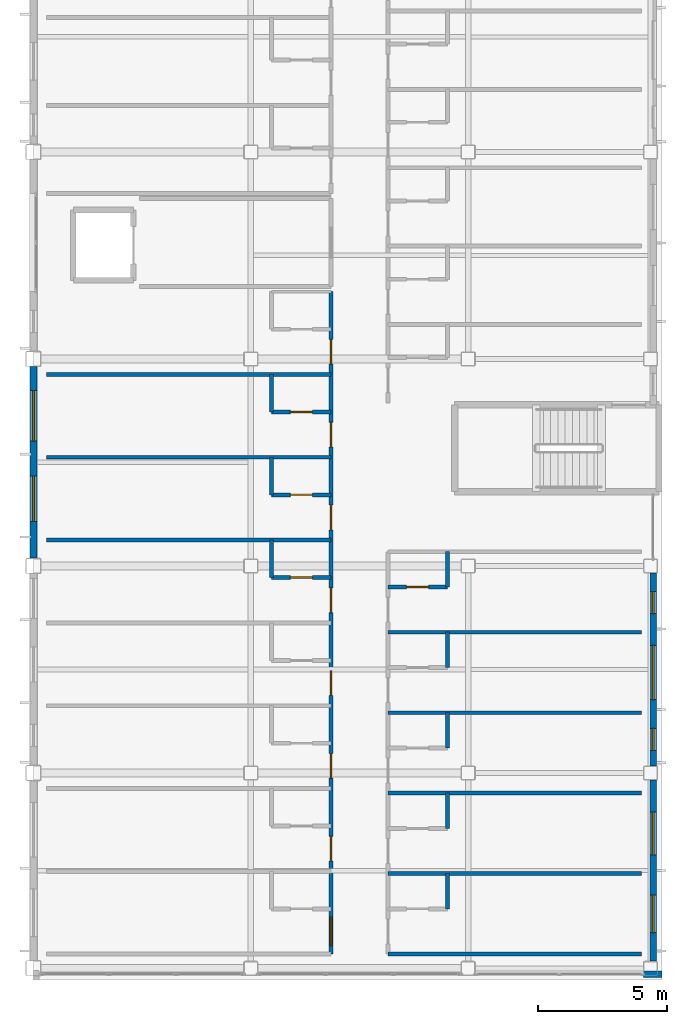
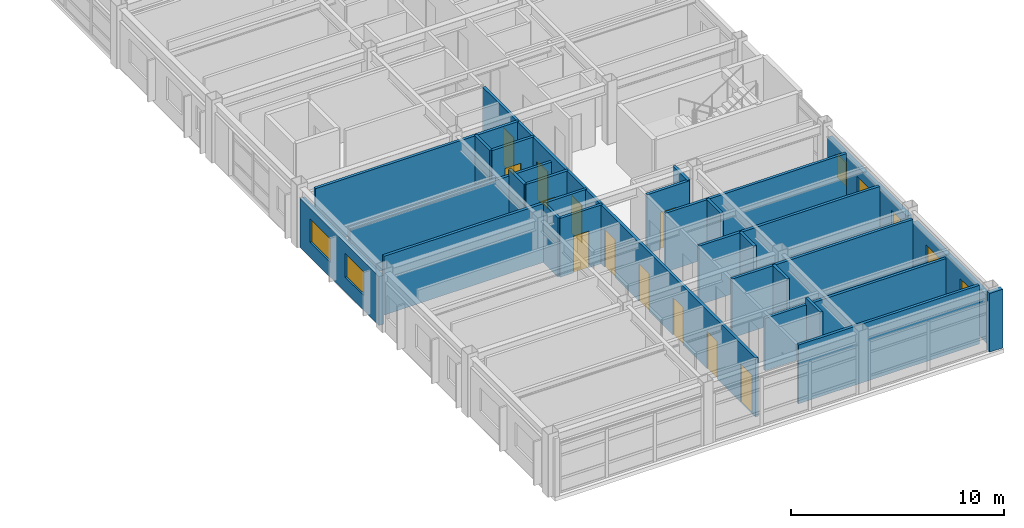
# One storey, part 24 of 38: 25 walls, 12 doors, 7 windows, 19 openings.
"""IFC4 building model written with IfcOpenShell, lengths in metres."""

from ifc_helpers import new_model, si_unit, direction, frame, frame_2d, origin, place, context, subcontext, project, spatial, rectangle, extrude, material, layer, layer_set, type_object, element, fill, save


model = new_model("IFC4")

# Units and contexts
model_context = context("Model", 3, precision=1e-05, world=origin(), true_north=direction((0.0, 1.0)))
body_context = subcontext(model_context, "Body", "Model", "MODEL_VIEW")
ifc_project = project(units=[si_unit("LENGTHUNIT", "METRE"), si_unit("AREAUNIT", "SQUARE_METRE"), si_unit("VOLUMEUNIT", "CUBIC_METRE"), si_unit("PLANEANGLEUNIT", "RADIAN"), si_unit("MASSUNIT", "GRAM", prefix="KILO")], contexts=[model_context])

# Site, building, storey
site_placement = place(None, origin())
site = spatial("IfcSite", under=ifc_project, at=site_placement, CompositionType="ELEMENT")
building_placement = place(site_placement, origin())
building = spatial("IfcBuilding", under=site, at=building_placement, Name="Kazehara Bluff Congress Hotel", CompositionType="ELEMENT")
storey_placement = place(building_placement, frame((0.0, 0.0, 24.60009765625)))
storey = spatial("IfcBuildingStorey", under=building, at=storey_placement, Name="L05", CompositionType="ELEMENT", Elevation=24.60009765625)

# Wall
ifc_material_1 = material(Name="Precast concrete C40/50", Category="concrete")
ifc_layer_1 = layer(ifc_material_1, 0.239990234375)
ifc_layer_set_1 = layer_set([ifc_layer_1], Name="Precast concrete C40/50")
wall_type_1 = type_object("IfcWallType", Name="TP-EW-240", PredefinedType="SOLIDWALL", material=ifc_layer_set_1)
wall_1_placement = place(storey_placement, frame((168.0, 0.219970703125, 0.0), z_axis=(0.0, 0.0, 1.0), x_axis=(-1.0, 0.0, 0.0)))
element("IfcWall", 1, at=wall_1_placement, inside=storey, type_object=wall_type_1, Name="L05 V5 perimeter spandrel pier 732", PredefinedType="SOLIDWALL", context=body_context, shape_type="SweptSolid", body=[
    extrude(rectangle(XDim=0.72509765625, YDim=0.239990234375, at=frame_2d((0.362548828125, 0.0))), origin(), (0.0, 0.0, 1.0), 3.364990234375),
])

# Wall, openings, windows
ifc_material_2 = material(Name="Precast concrete C40/50", Category="concrete")
ifc_layer_2 = layer(ifc_material_2, 0.260009765625)
ifc_layer_set_2 = layer_set([ifc_layer_2], Name="Precast concrete C40/50")
wall_type_2 = type_object("IfcWallType", Name="TP-EW-260", PredefinedType="SOLIDWALL", material=ifc_layer_set_2)
wall_2_placement = place(storey_placement, frame((167.64990234375, 7.72509765625, 0.0), z_axis=(0.0, 0.0, 1.0), x_axis=(0.0, -1.0, 0.0)))
wall_2 = element("IfcWall", 2, at=wall_2_placement, inside=storey, type_object=wall_type_2, Name="L05 hotel facade panel 42", PredefinedType="SOLIDWALL", context=body_context, shape_type="SweptSolid", body=[
    extrude(rectangle(XDim=7.0, YDim=0.260009765625, at=frame_2d((3.5, 0.0))), origin(), (0.0, 0.0, 1.0), 2.7548828125),
])
opening_1_placement = place(wall_2_placement, frame((4.445068359375, 0.0, 0.85009765625)))
opening_1 = element("IfcOpeningElement", 3, at=opening_1_placement, cuts=wall_2, Name="Opening WN-16", PredefinedType="OPENING", context=body_context, shape_type="SweptSolid", body=[
    extrude(rectangle(XDim=1.449951171875, YDim=1.35009765625, at=frame_2d((0.72509765625, 0.675048828125))), frame((0.0, 0.139892578125, 0.0), z_axis=(0.0, -1.0, 0.0), x_axis=(1.0, 0.0, 0.0)), (0.0, 0.0, 1.0), 0.280029296875),
])
opening_2_placement = place(wall_2_placement, frame((1.235107421875, 0.0, 0.85009765625)))
opening_2 = element("IfcOpeningElement", 4, at=opening_2_placement, cuts=wall_2, Name="Opening WN-26", PredefinedType="OPENING", context=body_context, shape_type="SweptSolid", body=[
    extrude(rectangle(XDim=1.64990234375, YDim=1.35009765625, at=frame_2d((0.824951171875, 0.675048828125))), frame((0.0, 0.139892578125, 0.0), z_axis=(0.0, -1.0, 0.0), x_axis=(1.0, 0.0, 0.0)), (0.0, 0.0, 1.0), 0.280029296875),
])
ifc_material_3 = material(Name="Insulated low-E double glazing", Category="glass")
window_type_1 = type_object("IfcWindowType", Name="TP-WN-16", PartitioningType="SINGLE_PANEL", PredefinedType="WINDOW", material=ifc_material_3)
window_1_placement = place(opening_1_placement, origin())
window_1 = element("IfcWindow", 5, at=window_1_placement, inside=storey, type_object=window_type_1, Name="L05 guestroom window WN-16 67", OverallHeight=1.35009765625, OverallWidth=1.449951171875, PartitioningType="SINGLE_PANEL", PredefinedType="WINDOW", context=body_context, shape_type="SweptSolid", body=[
    extrude(rectangle(XDim=1.449951171875, YDim=1.35009765625, at=frame_2d((0.72509765625, 0.675048828125))), frame((0.0, 0.030029296875, 0.0), z_axis=(0.0, -1.0, 0.0), x_axis=(1.0, 0.0, 0.0)), (0.0, 0.0, 1.0), 0.06005859375),
])
fill(opening_1, window_1)
ifc_material_4 = material(Name="Insulated low-E double glazing", Category="glass")
window_type_2 = type_object("IfcWindowType", Name="TP-WN-26", PartitioningType="SINGLE_PANEL", PredefinedType="WINDOW", material=ifc_material_4)
window_2_placement = place(opening_2_placement, origin())
window_2 = element("IfcWindow", 6, at=window_2_placement, inside=storey, type_object=window_type_2, Name="L05 guestroom window WN-26 68", OverallHeight=1.35009765625, OverallWidth=1.64990234375, PartitioningType="SINGLE_PANEL", PredefinedType="WINDOW", context=body_context, shape_type="SweptSolid", body=[
    extrude(rectangle(XDim=1.64990234375, YDim=1.35009765625, at=frame_2d((0.824951171875, 0.675048828125))), frame((0.0, 0.030029296875, 0.0), z_axis=(0.0, -1.0, 0.0), x_axis=(1.0, 0.0, 0.0)), (0.0, 0.0, 1.0), 0.06005859375),
])
fill(opening_2, window_2)

wall_3_placement = place(storey_placement, frame((167.64990234375, 15.72509765625, 0.0), z_axis=(0.0, 0.0, 1.0), x_axis=(0.0, -1.0, 0.0)))
wall_3 = element("IfcWall", 7, at=wall_3_placement, inside=storey, type_object=wall_type_2, Name="L05 hotel facade panel 43", PredefinedType="SOLIDWALL", context=body_context, shape_type="SweptSolid", body=[
    extrude(rectangle(XDim=7.4501953125, YDim=0.260009765625, at=frame_2d((3.72509765625, 0.0))), origin(), (0.0, 0.0, 1.0), 2.7548828125),
])
opening_3_placement = place(wall_3_placement, frame((6.0, 0.0, 0.85009765625)))
opening_3 = element("IfcOpeningElement", 8, at=opening_3_placement, cuts=wall_3, Name="Opening WN-55", PredefinedType="OPENING", context=body_context, shape_type="SweptSolid", body=[
    extrude(rectangle(XDim=0.85009765625, YDim=1.35009765625, at=frame_2d((0.425048828125, 0.675048828125))), frame((0.0, 0.139892578125, 0.0), z_axis=(0.0, -1.0, 0.0), x_axis=(1.0, 0.0, 0.0)), (0.0, 0.0, 1.0), 0.280029296875),
])
opening_4_placement = place(wall_3_placement, frame((2.7900390625, 0.0, 0.85009765625)))
opening_4 = element("IfcOpeningElement", 9, at=opening_4_placement, cuts=wall_3, Name="Opening WN-46", PredefinedType="OPENING", context=body_context, shape_type="SweptSolid", body=[
    extrude(rectangle(XDim=2.10009765625, YDim=1.35009765625, at=frame_2d((1.050048828125, 0.675048828125))), frame((0.0, 0.139892578125, 0.0), z_axis=(0.0, -1.0, 0.0), x_axis=(1.0, 0.0, 0.0)), (0.0, 0.0, 1.0), 0.280029296875),
])
opening_5_placement = place(wall_3_placement, frame((0.719970703125, 0.0, 0.85009765625)))
opening_5 = element("IfcOpeningElement", 10, at=opening_5_placement, cuts=wall_3, Name="Opening WN-55", PredefinedType="OPENING", context=body_context, shape_type="SweptSolid", body=[
    extrude(rectangle(XDim=0.85009765625, YDim=1.35009765625, at=frame_2d((0.425048828125, 0.675048828125))), frame((0.0, 0.139892578125, 0.0), z_axis=(0.0, -1.0, 0.0), x_axis=(1.0, 0.0, 0.0)), (0.0, 0.0, 1.0), 0.280029296875),
])
ifc_material_5 = material(Name="Insulated low-E double glazing", Category="glass")
window_type_3 = type_object("IfcWindowType", Name="TP-WN-46", PartitioningType="DOUBLE_PANEL_VERTICAL", PredefinedType="WINDOW", material=ifc_material_5)
window_3_placement = place(opening_4_placement, origin())
window_3 = element("IfcWindow", 11, at=window_3_placement, inside=storey, type_object=window_type_3, Name="L05 guestroom window WN-46 70", OverallHeight=1.35009765625, OverallWidth=2.10009765625, PartitioningType="SINGLE_PANEL", PredefinedType="WINDOW", context=body_context, shape_type="SweptSolid", body=[
    extrude(rectangle(XDim=2.10009765625, YDim=1.35009765625, at=frame_2d((1.050048828125, 0.675048828125))), frame((0.0, 0.030029296875, 0.0), z_axis=(0.0, -1.0, 0.0), x_axis=(1.0, 0.0, 0.0)), (0.0, 0.0, 1.0), 0.06005859375),
])
fill(opening_4, window_3)
ifc_material_6 = material(Name="Insulated low-E double glazing", Category="glass")
window_type_4 = type_object("IfcWindowType", Name="TP-WN-55", PartitioningType="SINGLE_PANEL", PredefinedType="WINDOW", material=ifc_material_6)
window_4_placement = place(opening_3_placement, origin())
window_4 = element("IfcWindow", 12, at=window_4_placement, inside=storey, type_object=window_type_4, Name="L05 guestroom window WN-55 69", OverallHeight=1.35009765625, OverallWidth=0.85009765625, PartitioningType="SINGLE_PANEL", PredefinedType="WINDOW", context=body_context, shape_type="SweptSolid", body=[
    extrude(rectangle(XDim=0.85009765625, YDim=1.35009765625, at=frame_2d((0.425048828125, 0.675048828125))), frame((0.0, 0.030029296875, 0.0), z_axis=(0.0, -1.0, 0.0), x_axis=(1.0, 0.0, 0.0)), (0.0, 0.0, 1.0), 0.06005859375),
])
fill(opening_3, window_4)
window_5_placement = place(opening_5_placement, origin())
window_5 = element("IfcWindow", 13, at=window_5_placement, inside=storey, type_object=window_type_4, Name="L05 guestroom window WN-55 71", OverallHeight=1.35009765625, OverallWidth=0.85009765625, PartitioningType="SINGLE_PANEL", PredefinedType="WINDOW", context=body_context, shape_type="SweptSolid", body=[
    extrude(rectangle(XDim=0.85009765625, YDim=1.35009765625, at=frame_2d((0.425048828125, 0.675048828125))), frame((0.0, 0.030029296875, 0.0), z_axis=(0.0, -1.0, 0.0), x_axis=(1.0, 0.0, 0.0)), (0.0, 0.0, 1.0), 0.06005859375),
])
fill(opening_5, window_5)

wall_4_placement = place(storey_placement, frame((143.699951171875, 16.300048828125, 0.0), z_axis=(0.0, 0.0, 1.0), x_axis=(0.0, 1.0, 0.0)))
wall_4 = element("IfcWall", 14, at=wall_4_placement, inside=storey, type_object=wall_type_2, Name="L05 hotel facade panel 56", PredefinedType="SOLIDWALL", context=body_context, shape_type="SweptSolid", body=[
    extrude(rectangle(XDim=7.39990234375, YDim=0.260009765625, at=frame_2d((3.699951171875, 0.0))), origin(), (0.0, 0.0, 1.0), 2.804931640625),
])
opening_6_placement = place(wall_4_placement, frame((1.425048828125, 0.0, 0.85009765625)))
opening_6 = element("IfcOpeningElement", 15, at=opening_6_placement, cuts=wall_4, Name="Opening WN-31", PredefinedType="OPENING", context=body_context, shape_type="SweptSolid", body=[
    extrude(rectangle(XDim=1.75, YDim=1.35009765625, at=frame_2d((0.875, 0.675048828125))), frame((0.0, 0.139892578125, 0.0), z_axis=(0.0, -1.0, 0.0), x_axis=(1.0, 0.0, 0.0)), (0.0, 0.0, 1.0), 0.280029296875),
])
opening_7_placement = place(wall_4_placement, frame((4.52490234375, 0.0, 0.85009765625)))
opening_7 = element("IfcOpeningElement", 16, at=opening_7_placement, cuts=wall_4, Name="Opening WN-41", PredefinedType="OPENING", context=body_context, shape_type="SweptSolid", body=[
    extrude(rectangle(XDim=1.949951171875, YDim=1.35009765625, at=frame_2d((0.97509765625, 0.675048828125))), frame((0.0, 0.139892578125, 0.0), z_axis=(0.0, -1.0, 0.0), x_axis=(1.0, 0.0, 0.0)), (0.0, 0.0, 1.0), 0.280029296875),
])
ifc_material_7 = material(Name="Insulated low-E double glazing", Category="glass")
window_type_5 = type_object("IfcWindowType", Name="TP-WN-31", PartitioningType="SINGLE_PANEL", PredefinedType="WINDOW", material=ifc_material_7)
window_6_placement = place(opening_6_placement, origin())
window_6 = element("IfcWindow", 17, at=window_6_placement, inside=storey, type_object=window_type_5, Name="L05 guestroom window WN-31 99", OverallHeight=1.35009765625, OverallWidth=1.75, PartitioningType="SINGLE_PANEL", PredefinedType="WINDOW", context=body_context, shape_type="SweptSolid", body=[
    extrude(rectangle(XDim=1.75, YDim=1.35009765625, at=frame_2d((0.875, 0.675048828125))), frame((0.0, 0.030029296875, 0.0), z_axis=(0.0, -1.0, 0.0), x_axis=(1.0, 0.0, 0.0)), (0.0, 0.0, 1.0), 0.06005859375),
])
fill(opening_6, window_6)
ifc_material_8 = material(Name="Insulated low-E double glazing", Category="glass")
window_type_6 = type_object("IfcWindowType", Name="TP-WN-41", PartitioningType="DOUBLE_PANEL_VERTICAL", PredefinedType="WINDOW", material=ifc_material_8)
window_7_placement = place(opening_7_placement, origin())
window_7 = element("IfcWindow", 18, at=window_7_placement, inside=storey, type_object=window_type_6, Name="L05 guestroom window WN-41 100", OverallHeight=1.35009765625, OverallWidth=1.949951171875, PartitioningType="SINGLE_PANEL", PredefinedType="WINDOW", context=body_context, shape_type="SweptSolid", body=[
    extrude(rectangle(XDim=1.949951171875, YDim=1.35009765625, at=frame_2d((0.97509765625, 0.675048828125))), frame((0.0, 0.030029296875, 0.0), z_axis=(0.0, -1.0, 0.0), x_axis=(1.0, 0.0, 0.0)), (0.0, 0.0, 1.0), 0.06005859375),
])
fill(opening_7, window_7)

# Walls
ifc_material_9 = material(Name="Fire-rated gypsum board stud partition")
ifc_layer_3 = layer(ifc_material_9, 0.14990234375)
ifc_layer_set_3 = layer_set([ifc_layer_3], Name="Fire-rated gypsum board stud partition")
wall_type_3 = type_object("IfcWallType", Name="TP-PT-150", PredefinedType="PARTITIONING", material=ifc_layer_set_3)
wall_5_placement = place(storey_placement, frame((157.39990234375, 1.0, 0.0), z_axis=(0.0, 0.0, 1.0), x_axis=(1.0, 0.0, 0.0)))
element("IfcWall", 19, at=wall_5_placement, inside=storey, type_object=wall_type_3, Name="L05 partition PT-150 506", PredefinedType="PARTITIONING", context=body_context, shape_type="SweptSolid", body=[
    extrude(rectangle(XDim=9.800048828125, YDim=0.14990234375, at=frame_2d((4.89990234375, 0.0))), origin(), (0.0, 0.0, 1.0), 3.364990234375),
])
wall_6_placement = place(storey_placement, frame((157.39990234375, 4.110107421875, 0.0), z_axis=(0.0, 0.0, 1.0), x_axis=(1.0, 0.0, 0.0)))
element("IfcWall", 20, at=wall_6_placement, inside=storey, type_object=wall_type_3, Name="L05 partition PT-150 509", PredefinedType="PARTITIONING", context=body_context, shape_type="SweptSolid", body=[
    extrude(rectangle(XDim=9.800048828125, YDim=0.14990234375, at=frame_2d((4.89990234375, 0.0))), origin(), (0.0, 0.0, 1.0), 3.0048828125),
])
for number, where, z_axis, x_axis, name in (
    (21, (157.39990234375, 7.219970703125, 0.0), (0.0, 0.0, 1.0), (1.0, 0.0, 0.0), "L05 partition PT-150 513"),
    (22, (157.39990234375, 10.330078125, 0.0), (0.0, 0.0, 1.0), (1.0, 0.0, 0.0), "L05 partition PT-150 517"),
    (23, (157.39990234375, 13.43994140625, 0.0), (0.0, 0.0, 1.0), (1.0, 0.0, 0.0), "L05 partition PT-150 521"),
):
    element("IfcWall", number, at=place(storey_placement, frame(where, z_axis=z_axis, x_axis=x_axis)), inside=storey, type_object=wall_type_3, Name=name, PredefinedType="PARTITIONING", context=body_context, shape_type="SweptSolid", body=[
        extrude(rectangle(XDim=9.800048828125, YDim=0.14990234375, at=frame_2d((4.89990234375, 0.0))), origin(), (0.0, 0.0, 1.0), 3.364990234375),
    ])

# Wall, opening, door
wall_7_placement = place(storey_placement, frame((157.39990234375, 15.18994140625, 0.0), z_axis=(0.0, 0.0, 1.0), x_axis=(1.0, 0.0, 0.0)))
wall_7 = element("IfcWall", 24, at=wall_7_placement, inside=storey, type_object=wall_type_3, Name="L05 partition PT-150 523", PredefinedType="PARTITIONING", context=body_context, shape_type="SweptSolid", body=[
    extrude(rectangle(XDim=2.300048828125, YDim=0.14990234375, at=frame_2d((1.14990234375, 0.0))), origin(), (0.0, 0.0, 1.0), 3.364990234375),
])
opening_8_placement = place(wall_7_placement, frame((0.72509765625, 0.0, 0.0)))
opening_8 = element("IfcOpeningElement", 25, at=opening_8_placement, cuts=wall_7, Name="Opening BD-01", PredefinedType="OPENING", context=body_context, shape_type="SweptSolid", body=[
    extrude(rectangle(XDim=0.85009765625, YDim=2.10009765625, at=frame_2d((0.425048828125, 1.050048828125))), frame((0.0, 0.0849609375, 0.0), z_axis=(0.0, -1.0, 0.0), x_axis=(1.0, 0.0, 0.0)), (0.0, 0.0, 1.0), 0.169921875),
])
ifc_material_10 = material(Name="Architectural oak veneer leaf")
door_type_1 = type_object("IfcDoorType", Name="TP-BD-01", OperationType="NOTDEFINED", PredefinedType="DOOR", material=ifc_material_10)
door_1_placement = place(opening_8_placement, origin())
door_1 = element("IfcDoor", 26, at=door_1_placement, inside=storey, type_object=door_type_1, Name="L05 En-suite Bathroom 96 door", OperationType="SINGLE_SWING_RIGHT", OverallHeight=2.10009765625, OverallWidth=0.85009765625, PredefinedType="DOOR", context=body_context, shape_type="SweptSolid", body=[
    extrude(rectangle(XDim=0.85009765625, YDim=2.10009765625, at=frame_2d((0.425048828125, 1.050048828125))), frame((0.0, 0.02490234375, 0.0), z_axis=(0.0, -1.0, 0.0), x_axis=(1.0, 0.0, 0.0)), (0.0, 0.0, 1.0), 0.050048828125),
])
fill(opening_8, door_1)

wall_8_placement = place(storey_placement, frame((152.89990234375, 15.550048828125, 0.0), z_axis=(0.0, 0.0, 1.0), x_axis=(1.0, 0.0, 0.0)))
wall_8 = element("IfcWall", 27, at=wall_8_placement, inside=storey, type_object=wall_type_3, Name="L05 partition PT-150 524", PredefinedType="PARTITIONING", context=body_context, shape_type="SweptSolid", body=[
    extrude(rectangle(XDim=2.300048828125, YDim=0.14990234375, at=frame_2d((1.14990234375, 0.0))), origin(), (0.0, 0.0, 1.0), 3.364990234375),
])
opening_9_placement = place(wall_8_placement, frame((0.72509765625, 0.0, 0.0)))
opening_9 = element("IfcOpeningElement", 28, at=opening_9_placement, cuts=wall_8, Name="Opening BD-01", PredefinedType="OPENING", context=body_context, shape_type="SweptSolid", body=[
    extrude(rectangle(XDim=0.85009765625, YDim=2.10009765625, at=frame_2d((0.425048828125, 1.050048828125))), frame((0.0, 0.0849609375, 0.0), z_axis=(0.0, -1.0, 0.0), x_axis=(1.0, 0.0, 0.0)), (0.0, 0.0, 1.0), 0.169921875),
])
door_2_placement = place(opening_9_placement, origin())
door_2 = element("IfcDoor", 29, at=door_2_placement, inside=storey, type_object=door_type_1, Name="L05 En-suite Bathroom 71 door", OperationType="SINGLE_SWING_RIGHT", OverallHeight=2.10009765625, OverallWidth=0.85009765625, PredefinedType="DOOR", context=body_context, shape_type="SweptSolid", body=[
    extrude(rectangle(XDim=0.85009765625, YDim=2.10009765625, at=frame_2d((0.425048828125, 1.050048828125))), frame((0.0, 0.02490234375, 0.0), z_axis=(0.0, -1.0, 0.0), x_axis=(1.0, 0.0, 0.0)), (0.0, 0.0, 1.0), 0.050048828125),
])
fill(opening_9, door_2)

# Wall
wall_9_placement = place(storey_placement, frame((144.199951171875, 17.0, 0.0), z_axis=(0.0, 0.0, 1.0), x_axis=(1.0, 0.0, 0.0)))
element("IfcWall", 30, at=wall_9_placement, inside=storey, type_object=wall_type_3, Name="L05 partition PT-150 526", PredefinedType="PARTITIONING", context=body_context, shape_type="SweptSolid", body=[
    extrude(rectangle(XDim=11.0, YDim=0.14990234375, at=frame_2d((5.5, 0.0))), origin(), (0.0, 0.0, 1.0), 3.364990234375),
])

# Wall, opening, door
wall_10_placement = place(storey_placement, frame((152.89990234375, 18.75, 0.0), z_axis=(0.0, 0.0, 1.0), x_axis=(1.0, 0.0, 0.0)))
wall_10 = element("IfcWall", 31, at=wall_10_placement, inside=storey, type_object=wall_type_3, Name="L05 partition PT-150 527", PredefinedType="PARTITIONING", context=body_context, shape_type="SweptSolid", body=[
    extrude(rectangle(XDim=2.300048828125, YDim=0.14990234375, at=frame_2d((1.14990234375, 0.0))), origin(), (0.0, 0.0, 1.0), 3.364990234375),
])
opening_10_placement = place(wall_10_placement, frame((0.72509765625, 0.0, 0.0)))
opening_10 = element("IfcOpeningElement", 32, at=opening_10_placement, cuts=wall_10, Name="Opening BD-01", PredefinedType="OPENING", context=body_context, shape_type="SweptSolid", body=[
    extrude(rectangle(XDim=0.85009765625, YDim=2.10009765625, at=frame_2d((0.425048828125, 1.050048828125))), frame((0.0, 0.0849609375, 0.0), z_axis=(0.0, -1.0, 0.0), x_axis=(1.0, 0.0, 0.0)), (0.0, 0.0, 1.0), 0.169921875),
])
door_3_placement = place(opening_10_placement, origin())
door_3 = element("IfcDoor", 33, at=door_3_placement, inside=storey, type_object=door_type_1, Name="L05 En-suite Bathroom 72 door", OperationType="SINGLE_SWING_RIGHT", OverallHeight=2.10009765625, OverallWidth=0.85009765625, PredefinedType="DOOR", context=body_context, shape_type="SweptSolid", body=[
    extrude(rectangle(XDim=0.85009765625, YDim=2.10009765625, at=frame_2d((0.425048828125, 1.050048828125))), frame((0.0, 0.02490234375, 0.0), z_axis=(0.0, -1.0, 0.0), x_axis=(1.0, 0.0, 0.0)), (0.0, 0.0, 1.0), 0.050048828125),
])
fill(opening_10, door_3)

# Wall
wall_11_placement = place(storey_placement, frame((144.199951171875, 20.199951171875, 0.0), z_axis=(0.0, 0.0, 1.0), x_axis=(1.0, 0.0, 0.0)))
element("IfcWall", 34, at=wall_11_placement, inside=storey, type_object=wall_type_3, Name="L05 partition PT-150 528", PredefinedType="PARTITIONING", context=body_context, shape_type="SweptSolid", body=[
    extrude(rectangle(XDim=11.0, YDim=0.14990234375, at=frame_2d((5.5, 0.0))), origin(), (0.0, 0.0, 1.0), 3.0048828125),
])

# Wall, opening, door
wall_12_placement = place(storey_placement, frame((152.89990234375, 21.949951171875, 0.0), z_axis=(0.0, 0.0, 1.0), x_axis=(1.0, 0.0, 0.0)))
wall_12 = element("IfcWall", 35, at=wall_12_placement, inside=storey, type_object=wall_type_3, Name="L05 partition PT-150 529", PredefinedType="PARTITIONING", context=body_context, shape_type="SweptSolid", body=[
    extrude(rectangle(XDim=2.300048828125, YDim=0.14990234375, at=frame_2d((1.14990234375, 0.0))), origin(), (0.0, 0.0, 1.0), 3.364990234375),
])
opening_11_placement = place(wall_12_placement, frame((0.72509765625, 0.0, 0.0)))
opening_11 = element("IfcOpeningElement", 36, at=opening_11_placement, cuts=wall_12, Name="Opening BD-01", PredefinedType="OPENING", context=body_context, shape_type="SweptSolid", body=[
    extrude(rectangle(XDim=0.85009765625, YDim=2.10009765625, at=frame_2d((0.425048828125, 1.050048828125))), frame((0.0, 0.0849609375, 0.0), z_axis=(0.0, -1.0, 0.0), x_axis=(1.0, 0.0, 0.0)), (0.0, 0.0, 1.0), 0.169921875),
])
door_4_placement = place(opening_11_placement, origin())
door_4 = element("IfcDoor", 37, at=door_4_placement, inside=storey, type_object=door_type_1, Name="L05 En-suite Bathroom 73 door", OperationType="SINGLE_SWING_RIGHT", OverallHeight=2.10009765625, OverallWidth=0.85009765625, PredefinedType="DOOR", context=body_context, shape_type="SweptSolid", body=[
    extrude(rectangle(XDim=0.85009765625, YDim=2.10009765625, at=frame_2d((0.425048828125, 1.050048828125))), frame((0.0, 0.02490234375, 0.0), z_axis=(0.0, -1.0, 0.0), x_axis=(1.0, 0.0, 0.0)), (0.0, 0.0, 1.0), 0.050048828125),
])
fill(opening_11, door_4)

# Walls
wall_13_placement = place(storey_placement, frame((144.199951171875, 23.39990234375, 0.0), z_axis=(0.0, 0.0, 1.0), x_axis=(1.0, 0.0, 0.0)))
element("IfcWall", 38, at=wall_13_placement, inside=storey, type_object=wall_type_3, Name="L05 partition PT-150 530", PredefinedType="PARTITIONING", context=body_context, shape_type="SweptSolid", body=[
    extrude(rectangle(XDim=11.0, YDim=0.14990234375, at=frame_2d((5.5, 0.0))), origin(), (0.0, 0.0, 1.0), 3.364990234375),
])
for number, where, z_axis, x_axis, name in (
    (39, (152.89990234375, 15.550048828125, 0.0), (0.0, 0.0, 1.0), (0.0, 1.0, 0.0), "L05 partition PT-150 629"),
    (40, (152.89990234375, 18.75, 0.0), (0.0, 0.0, 1.0), (0.0, 1.0, 0.0), "L05 partition PT-150 630"),
    (41, (152.89990234375, 21.949951171875, 0.0), (0.0, 0.0, 1.0), (0.0, 1.0, 0.0), "L05 partition PT-150 631"),
):
    element("IfcWall", number, at=place(storey_placement, frame(where, z_axis=z_axis, x_axis=x_axis)), inside=storey, type_object=wall_type_3, Name=name, PredefinedType="PARTITIONING", context=body_context, shape_type="SweptSolid", body=[
        extrude(rectangle(XDim=1.449951171875, YDim=0.14990234375, at=frame_2d((0.72509765625, 0.0))), origin(), (0.0, 0.0, 1.0), 3.364990234375),
    ])

# Wall, openings, doors
wall_14_placement = place(storey_placement, frame((155.199951171875, 1.0, 0.0), z_axis=(0.0, 0.0, 1.0), x_axis=(0.0, 1.0, 0.0)))
wall_14 = element("IfcWall", 42, at=wall_14_placement, inside=storey, type_object=wall_type_3, Name="L05 partition PT-150 650", PredefinedType="PARTITIONING", context=body_context, shape_type="SweptSolid", body=[
    extrude(rectangle(XDim=25.60009765625, YDim=0.14990234375, at=frame_2d((12.800048828125, 0.0))), origin(), (0.0, 0.0, 1.0), 3.364990234375),
])
opening_12_placement = place(wall_14_placement, frame((0.324951171875, 0.0, 0.0)))
opening_12 = element("IfcOpeningElement", 43, at=opening_12_placement, cuts=wall_14, Name="Opening GD-02", PredefinedType="OPENING", context=body_context, shape_type="SweptSolid", body=[
    extrude(rectangle(XDim=1.10009765625, YDim=2.199951171875, at=frame_2d((0.550048828125, 1.10009765625))), frame((0.0, 0.0849609375, 0.0), z_axis=(0.0, -1.0, 0.0), x_axis=(1.0, 0.0, 0.0)), (0.0, 0.0, 1.0), 0.169921875),
])
opening_13_placement = place(wall_14_placement, frame((3.60009765625, 0.0, 0.0)))
opening_13 = element("IfcOpeningElement", 44, at=opening_13_placement, cuts=wall_14, Name="Opening GD-01", PredefinedType="OPENING", context=body_context, shape_type="SweptSolid", body=[
    extrude(rectangle(XDim=0.949951171875, YDim=2.14990234375, at=frame_2d((0.47509765625, 1.074951171875))), frame((0.0, 0.0849609375, 0.0), z_axis=(0.0, -1.0, 0.0), x_axis=(1.0, 0.0, 0.0)), (0.0, 0.0, 1.0), 0.169921875),
])
opening_14_placement = place(wall_14_placement, frame((6.800048828125, 0.0, 0.0)))
opening_14 = element("IfcOpeningElement", 45, at=opening_14_placement, cuts=wall_14, Name="Opening GD-01", PredefinedType="OPENING", context=body_context, shape_type="SweptSolid", body=[
    extrude(rectangle(XDim=0.949951171875, YDim=2.14990234375, at=frame_2d((0.47509765625, 1.074951171875))), frame((0.0, 0.0849609375, 0.0), z_axis=(0.0, -1.0, 0.0), x_axis=(1.0, 0.0, 0.0)), (0.0, 0.0, 1.0), 0.169921875),
])
opening_15_placement = place(wall_14_placement, frame((10.0, 0.0, 0.0)))
opening_15 = element("IfcOpeningElement", 46, at=opening_15_placement, cuts=wall_14, Name="Opening GD-01", PredefinedType="OPENING", context=body_context, shape_type="SweptSolid", body=[
    extrude(rectangle(XDim=0.949951171875, YDim=2.14990234375, at=frame_2d((0.47509765625, 1.074951171875))), frame((0.0, 0.0849609375, 0.0), z_axis=(0.0, -1.0, 0.0), x_axis=(1.0, 0.0, 0.0)), (0.0, 0.0, 1.0), 0.169921875),
])
opening_16_placement = place(wall_14_placement, frame((13.199951171875, 0.0, 0.0)))
opening_16 = element("IfcOpeningElement", 47, at=opening_16_placement, cuts=wall_14, Name="Opening GD-01", PredefinedType="OPENING", context=body_context, shape_type="SweptSolid", body=[
    extrude(rectangle(XDim=0.949951171875, YDim=2.14990234375, at=frame_2d((0.47509765625, 1.074951171875))), frame((0.0, 0.0849609375, 0.0), z_axis=(0.0, -1.0, 0.0), x_axis=(1.0, 0.0, 0.0)), (0.0, 0.0, 1.0), 0.169921875),
])
opening_17_placement = place(wall_14_placement, frame((16.39990234375, 0.0, 0.0)))
opening_17 = element("IfcOpeningElement", 48, at=opening_17_placement, cuts=wall_14, Name="Opening GD-01", PredefinedType="OPENING", context=body_context, shape_type="SweptSolid", body=[
    extrude(rectangle(XDim=0.949951171875, YDim=2.14990234375, at=frame_2d((0.47509765625, 1.074951171875))), frame((0.0, 0.0849609375, 0.0), z_axis=(0.0, -1.0, 0.0), x_axis=(1.0, 0.0, 0.0)), (0.0, 0.0, 1.0), 0.169921875),
])
opening_18_placement = place(wall_14_placement, frame((19.60009765625, 0.0, 0.0)))
opening_18 = element("IfcOpeningElement", 49, at=opening_18_placement, cuts=wall_14, Name="Opening GD-01", PredefinedType="OPENING", context=body_context, shape_type="SweptSolid", body=[
    extrude(rectangle(XDim=0.949951171875, YDim=2.14990234375, at=frame_2d((0.47509765625, 1.074951171875))), frame((0.0, 0.0849609375, 0.0), z_axis=(0.0, -1.0, 0.0), x_axis=(1.0, 0.0, 0.0)), (0.0, 0.0, 1.0), 0.169921875),
])
opening_19_placement = place(wall_14_placement, frame((22.800048828125, 0.0, 0.0)))
opening_19 = element("IfcOpeningElement", 50, at=opening_19_placement, cuts=wall_14, Name="Opening GD-01", PredefinedType="OPENING", context=body_context, shape_type="SweptSolid", body=[
    extrude(rectangle(XDim=0.949951171875, YDim=2.14990234375, at=frame_2d((0.47509765625, 1.074951171875))), frame((0.0, 0.0849609375, 0.0), z_axis=(0.0, -1.0, 0.0), x_axis=(1.0, 0.0, 0.0)), (0.0, 0.0, 1.0), 0.169921875),
])
ifc_material_11 = material(Name="Architectural oak veneer leaf")
door_type_2 = type_object("IfcDoorType", Name="TP-GD-01", OperationType="NOTDEFINED", PredefinedType="DOOR", material=ifc_material_11)
door_5_placement = place(opening_13_placement, origin())
door_5 = element("IfcDoor", 51, at=door_5_placement, inside=storey, type_object=door_type_2, Name="L05 Deluxe Twin Guest Room 68 door", OperationType="SINGLE_SWING_LEFT", OverallHeight=2.14990234375, OverallWidth=0.949951171875, PredefinedType="DOOR", context=body_context, shape_type="SweptSolid", body=[
    extrude(rectangle(XDim=0.949951171875, YDim=2.14990234375, at=frame_2d((0.47509765625, 1.074951171875))), frame((0.0, 0.02490234375, 0.0), z_axis=(0.0, -1.0, 0.0), x_axis=(1.0, 0.0, 0.0)), (0.0, 0.0, 1.0), 0.050048828125),
])
fill(opening_13, door_5)
door_6_placement = place(opening_14_placement, origin())
door_6 = element("IfcDoor", 52, at=door_6_placement, inside=storey, type_object=door_type_2, Name="L05 Standard King Guest Room 69 door", OperationType="SINGLE_SWING_LEFT", OverallHeight=2.14990234375, OverallWidth=0.949951171875, PredefinedType="DOOR", context=body_context, shape_type="SweptSolid", body=[
    extrude(rectangle(XDim=0.949951171875, YDim=2.14990234375, at=frame_2d((0.47509765625, 1.074951171875))), frame((0.0, 0.02490234375, 0.0), z_axis=(0.0, -1.0, 0.0), x_axis=(1.0, 0.0, 0.0)), (0.0, 0.0, 1.0), 0.050048828125),
])
fill(opening_14, door_6)
door_7_placement = place(opening_15_placement, origin())
door_7 = element("IfcDoor", 53, at=door_7_placement, inside=storey, type_object=door_type_2, Name="L05 Deluxe Twin Guest Room 70 door", OperationType="SINGLE_SWING_LEFT", OverallHeight=2.14990234375, OverallWidth=0.949951171875, PredefinedType="DOOR", context=body_context, shape_type="SweptSolid", body=[
    extrude(rectangle(XDim=0.949951171875, YDim=2.14990234375, at=frame_2d((0.47509765625, 1.074951171875))), frame((0.0, 0.02490234375, 0.0), z_axis=(0.0, -1.0, 0.0), x_axis=(1.0, 0.0, 0.0)), (0.0, 0.0, 1.0), 0.050048828125),
])
fill(opening_15, door_7)
door_8_placement = place(opening_16_placement, origin())
door_8 = element("IfcDoor", 54, at=door_8_placement, inside=storey, type_object=door_type_2, Name="L05 Standard King Guest Room 71 door", OperationType="SINGLE_SWING_LEFT", OverallHeight=2.14990234375, OverallWidth=0.949951171875, PredefinedType="DOOR", context=body_context, shape_type="SweptSolid", body=[
    extrude(rectangle(XDim=0.949951171875, YDim=2.14990234375, at=frame_2d((0.47509765625, 1.074951171875))), frame((0.0, 0.02490234375, 0.0), z_axis=(0.0, -1.0, 0.0), x_axis=(1.0, 0.0, 0.0)), (0.0, 0.0, 1.0), 0.050048828125),
])
fill(opening_16, door_8)
door_9_placement = place(opening_17_placement, origin())
door_9 = element("IfcDoor", 55, at=door_9_placement, inside=storey, type_object=door_type_2, Name="L05 Deluxe Twin Guest Room 72 door", OperationType="SINGLE_SWING_LEFT", OverallHeight=2.14990234375, OverallWidth=0.949951171875, PredefinedType="DOOR", context=body_context, shape_type="SweptSolid", body=[
    extrude(rectangle(XDim=0.949951171875, YDim=2.14990234375, at=frame_2d((0.47509765625, 1.074951171875))), frame((0.0, 0.02490234375, 0.0), z_axis=(0.0, -1.0, 0.0), x_axis=(1.0, 0.0, 0.0)), (0.0, 0.0, 1.0), 0.050048828125),
])
fill(opening_17, door_9)
door_10_placement = place(opening_18_placement, origin())
door_10 = element("IfcDoor", 56, at=door_10_placement, inside=storey, type_object=door_type_2, Name="L05 Standard King Guest Room 73 door", OperationType="SINGLE_SWING_LEFT", OverallHeight=2.14990234375, OverallWidth=0.949951171875, PredefinedType="DOOR", context=body_context, shape_type="SweptSolid", body=[
    extrude(rectangle(XDim=0.949951171875, YDim=2.14990234375, at=frame_2d((0.47509765625, 1.074951171875))), frame((0.0, 0.02490234375, 0.0), z_axis=(0.0, -1.0, 0.0), x_axis=(1.0, 0.0, 0.0)), (0.0, 0.0, 1.0), 0.050048828125),
])
fill(opening_18, door_10)
door_11_placement = place(opening_19_placement, origin())
door_11 = element("IfcDoor", 57, at=door_11_placement, inside=storey, type_object=door_type_2, Name="L05 Deluxe Twin Guest Room 74 door", OperationType="SINGLE_SWING_LEFT", OverallHeight=2.14990234375, OverallWidth=0.949951171875, PredefinedType="DOOR", context=body_context, shape_type="SweptSolid", body=[
    extrude(rectangle(XDim=0.949951171875, YDim=2.14990234375, at=frame_2d((0.47509765625, 1.074951171875))), frame((0.0, 0.02490234375, 0.0), z_axis=(0.0, -1.0, 0.0), x_axis=(1.0, 0.0, 0.0)), (0.0, 0.0, 1.0), 0.050048828125),
])
fill(opening_19, door_11)
ifc_material_12 = material(Name="Architectural oak veneer leaf")
door_type_3 = type_object("IfcDoorType", Name="TP-GD-02", OperationType="NOTDEFINED", PredefinedType="DOOR", material=ifc_material_12)
door_12_placement = place(opening_12_placement, origin())
door_12 = element("IfcDoor", 58, at=door_12_placement, inside=storey, type_object=door_type_3, Name="L05 Accessible Suite 67 door", OperationType="SINGLE_SWING_LEFT", OverallHeight=2.199951171875, OverallWidth=1.10009765625, PredefinedType="DOOR", context=body_context, shape_type="SweptSolid", body=[
    extrude(rectangle(XDim=1.10009765625, YDim=2.199951171875, at=frame_2d((0.550048828125, 1.10009765625))), frame((0.0, 0.02490234375, 0.0), z_axis=(0.0, -1.0, 0.0), x_axis=(1.0, 0.0, 0.0)), (0.0, 0.0, 1.0), 0.050048828125),
])
fill(opening_12, door_12)

# Walls
wall_15_placement = place(storey_placement, frame((159.699951171875, 2.75, 0.0), z_axis=(0.0, 0.0, 1.0), x_axis=(0.0, 1.0, 0.0)))
element("IfcWall", 59, at=wall_15_placement, inside=storey, type_object=wall_type_3, Name="L05 partition PT-150 660", PredefinedType="PARTITIONING", context=body_context, shape_type="SweptSolid", body=[
    extrude(rectangle(XDim=1.360107421875, YDim=0.14990234375, at=frame_2d((0.68017578125, 0.0))), origin(), (0.0, 0.0, 1.0), 3.364990234375),
])
wall_16_placement = place(storey_placement, frame((159.699951171875, 5.860107421875, 0.0), z_axis=(0.0, 0.0, 1.0), x_axis=(0.0, 1.0, 0.0)))
element("IfcWall", 60, at=wall_16_placement, inside=storey, type_object=wall_type_3, Name="L05 partition PT-150 661", PredefinedType="PARTITIONING", context=body_context, shape_type="SweptSolid", body=[
    extrude(rectangle(XDim=1.35986328125, YDim=0.14990234375, at=frame_2d((0.679931640625, 0.0))), origin(), (0.0, 0.0, 1.0), 3.364990234375),
])
wall_17_placement = place(storey_placement, frame((159.699951171875, 8.969970703125, 0.0), z_axis=(0.0, 0.0, 1.0), x_axis=(0.0, 1.0, 0.0)))
element("IfcWall", 61, at=wall_17_placement, inside=storey, type_object=wall_type_3, Name="L05 partition PT-150 662", PredefinedType="PARTITIONING", context=body_context, shape_type="SweptSolid", body=[
    extrude(rectangle(XDim=1.360107421875, YDim=0.14990234375, at=frame_2d((0.68017578125, 0.0))), origin(), (0.0, 0.0, 1.0), 3.364990234375),
])
wall_18_placement = place(storey_placement, frame((159.699951171875, 12.080078125, 0.0), z_axis=(0.0, 0.0, 1.0), x_axis=(0.0, 1.0, 0.0)))
element("IfcWall", 62, at=wall_18_placement, inside=storey, type_object=wall_type_3, Name="L05 partition PT-150 663", PredefinedType="PARTITIONING", context=body_context, shape_type="SweptSolid", body=[
    extrude(rectangle(XDim=1.35986328125, YDim=0.14990234375, at=frame_2d((0.679931640625, 0.0))), origin(), (0.0, 0.0, 1.0), 3.364990234375),
])
wall_19_placement = place(storey_placement, frame((159.699951171875, 15.18994140625, 0.0), z_axis=(0.0, 0.0, 1.0), x_axis=(0.0, 1.0, 0.0)))
element("IfcWall", 63, at=wall_19_placement, inside=storey, type_object=wall_type_3, Name="L05 partition PT-150 664", PredefinedType="PARTITIONING", context=body_context, shape_type="SweptSolid", body=[
    extrude(rectangle(XDim=1.360107421875, YDim=0.14990234375, at=frame_2d((0.68017578125, 0.0))), origin(), (0.0, 0.0, 1.0), 3.364990234375),
])

save(model, "model.ifc")
